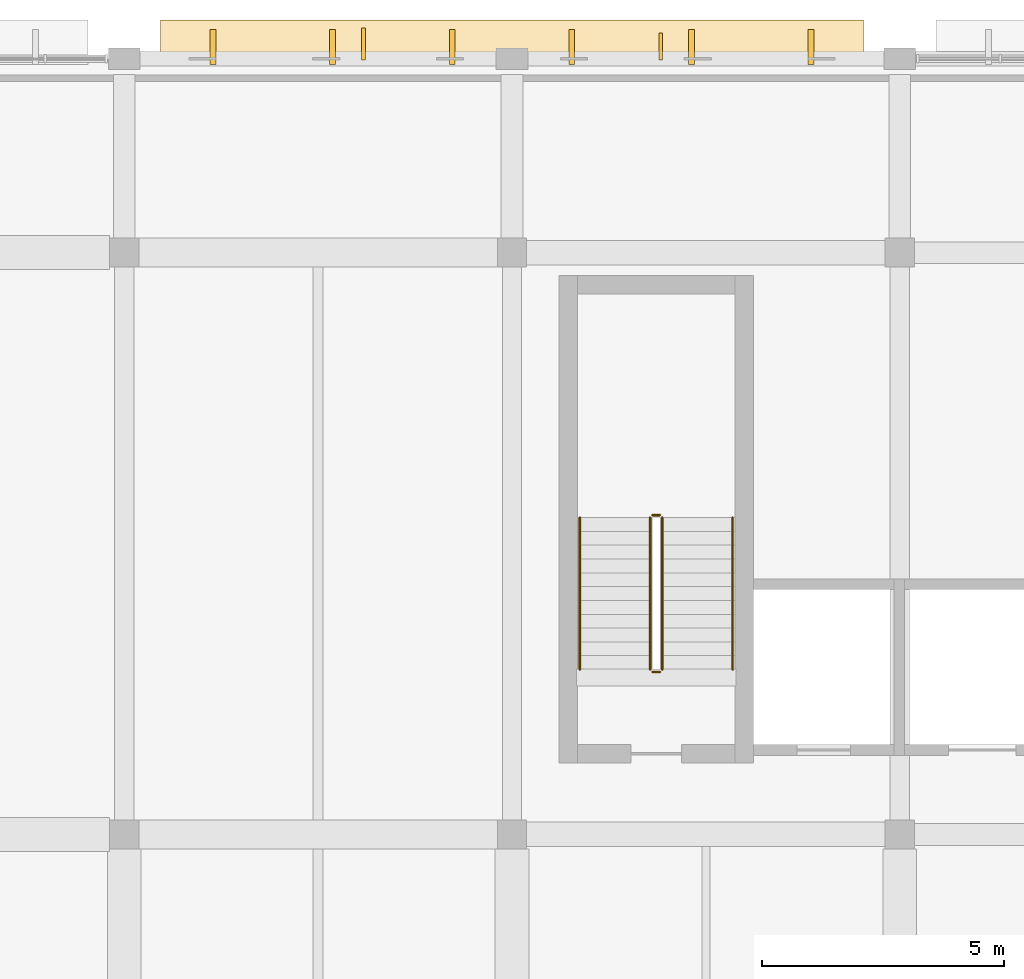
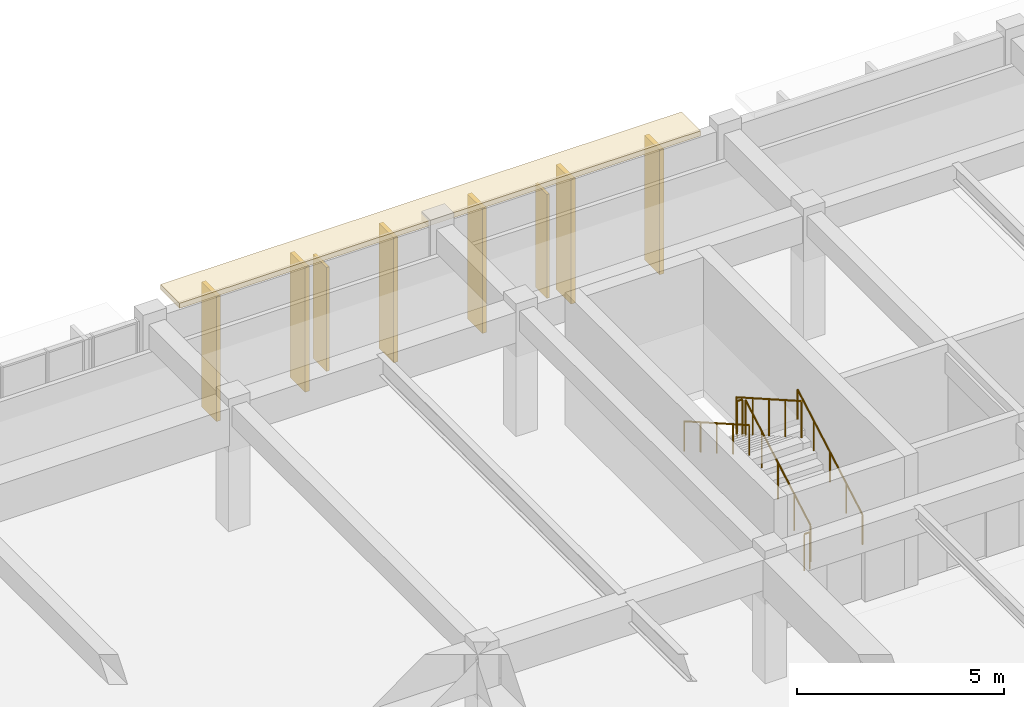
# One storey, part 89 of 98: 7 coverings, 6 railings, 2 shading devices.
"""IFC4 building model written with IfcOpenShell, lengths in metres."""

from ifc_helpers import new_model, si_unit, direction, frame, origin, origin_2d, place, context, subcontext, project, spatial, rectangle, circle, extrude, material, layer, layer_set, type_object, element, save


model = new_model("IFC4")

# Units and contexts
model_context = context("Model", 3, precision=1e-05, world=origin(), true_north=direction((0.0, 1.0)))
body_context = subcontext(model_context, "Body", "Model", "MODEL_VIEW")
ifc_project = project(units=[si_unit("LENGTHUNIT", "METRE"), si_unit("AREAUNIT", "SQUARE_METRE"), si_unit("VOLUMEUNIT", "CUBIC_METRE"), si_unit("PLANEANGLEUNIT", "RADIAN"), si_unit("MASSUNIT", "GRAM", prefix="KILO")], contexts=[model_context])

# Site, building, storey
site_placement = place(None, origin())
site = spatial("IfcSite", under=ifc_project, at=site_placement, CompositionType="ELEMENT")
building_placement = place(site_placement, origin())
building = spatial("IfcBuilding", under=site, at=building_placement, Name="Larkveld Mobility Hub", CompositionType="ELEMENT")
storey_placement = place(building_placement, frame((0.0, 0.0, 4.5)))
storey = spatial("IfcBuildingStorey", under=building, at=storey_placement, Name="L01", CompositionType="ELEMENT", Elevation=4.5)

# Coverings
ifc_material_1 = material(Name="Precast concrete C50/60", Category="concrete")
ifc_layer_1 = layer(ifc_material_1, 0.14990234375, Name="Precast concrete C50/60", Category="concrete")
ifc_layer_set_1 = layer_set([ifc_layer_1], Name="Precast concrete C50/60")
covering_type_1 = type_object("IfcCoveringType", Name="COV-QSL-H01", PredefinedType="CLADDING", material=ifc_layer_set_1)
covering_placement = place(storey_placement, frame((24.0, 126.340087890625, 3.670166015625), z_axis=(0.0, 0.0, 1.0), x_axis=(-1.0, 0.0, 0.0)))
element("IfcCovering", 1, at=covering_placement, inside=storey, type_object=covering_type_1, Name="Precast Quebra-Sol Horizontal Sunbreaker QSH-064", PredefinedType="CLADDING", context=body_context, shape_type="SweptSolid", body=[
    extrude(rectangle(XDim=14.5, YDim=0.919921875, at=origin_2d()), origin(), (0.0, 0.0, 1.0), 0.14990234375),
])
ifc_layer_2 = layer(ifc_material_1, 0.1201171875, Name="Precast concrete C50/60", Category="concrete")
ifc_layer_set_2 = layer_set([ifc_layer_2], Name="Precast concrete C50/60")
covering_type_2 = type_object("IfcCoveringType", Name="COV-QSL-V01", PredefinedType="CLADDING", material=ifc_layer_set_2)
for number, where, z_axis, x_axis, name in (
    (2, (30.1669921875, 126.239990234375, -0.0205078125), (0.0, 0.0, 1.0), (-1.0, 0.0, 0.0), "Precast Quebra-Sol Vertical Fin QSV-065"),
    (3, (27.699951171875, 126.239990234375, -0.0205078125), (0.0, 0.0, 1.0), (-1.0, 0.0, 0.0), "Precast Quebra-Sol Vertical Fin QSV-066"),
    (4, (25.23291015625, 126.239990234375, -0.0205078125), (0.0, 0.0, 1.0), (-1.0, 0.0, 0.0), "Precast Quebra-Sol Vertical Fin QSV-067"),
    (5, (22.76708984375, 126.239990234375, -0.0205078125), (0.0, 0.0, 1.0), (-1.0, 0.0, 0.0), "Precast Quebra-Sol Vertical Fin QSV-068"),
    (6, (20.300048828125, 126.239990234375, -0.0205078125), (0.0, 0.0, 1.0), (-1.0, 0.0, 0.0), "Precast Quebra-Sol Vertical Fin QSV-069"),
    (7, (17.8330078125, 126.239990234375, -0.0205078125), (0.0, 0.0, 1.0), (-1.0, 0.0, 0.0), "Precast Quebra-Sol Vertical Fin QSV-070"),
):
    element("IfcCovering", number, at=place(storey_placement, frame(where, z_axis=z_axis, x_axis=x_axis)), inside=storey, type_object=covering_type_2, Name=name, PredefinedType="CLADDING", context=body_context, shape_type="SweptSolid", body=[
        extrude(rectangle(XDim=0.1201171875, YDim=0.719970703125, at=origin_2d()), origin(), (0.0, 0.0, 1.0), 3.675048828125),
    ])

# Railings
ifc_material_2 = material(Name="Galvanized Steel S355JR balustrade", Category="steel")
railing_type_1 = type_object("IfcRailingType", Name="RL-GRD-1100", PredefinedType="GUARDRAIL", material=ifc_material_2)
railing_1_placement = place(storey_placement, frame((27.10009765625, 113.39990234375, 0.16259765625)))
element("IfcRailing", 8, at=railing_1_placement, inside=storey, type_object=railing_type_1, Name="L01 ST6 stair guard 1", PredefinedType="GUARDRAIL", context=body_context, shape_type="SweptSolid", body=[
    extrude(circle(Radius=0.02392578125, at=origin_2d()), frame((0.0, 0.0, 1.076171875), z_axis=(0.0, 0.868729823959, 0.495286273749), x_axis=(-1.0, 0.0, 0.0)), (0.0, 0.0, 1.0), 3.608642578125),
    extrude(circle(Radius=0.02099609375, at=origin_2d()), origin(), (0.0, 0.0, 1.0), 1.052001953125),
    extrude(circle(Radius=0.02099609375, at=origin_2d()), frame((0.0, 0.78369140625, 0.44677734375)), (0.0, 0.0, 1.0), 1.052001953125),
    extrude(circle(Radius=0.02099609375, at=origin_2d()), frame((0.0, 1.5673828125, 0.8935546875)), (0.0, 0.0, 1.0), 1.052001953125),
    extrude(circle(Radius=0.02099609375, at=origin_2d()), frame((0.0, 2.351318359375, 1.340576171875)), (0.0, 0.0, 1.0), 1.052001953125),
    extrude(circle(Radius=0.02099609375, at=origin_2d()), frame((0.0, 3.135009765625, 1.787353515625)), (0.0, 0.0, 1.0), 1.052001953125),
])
railing_2_placement = place(storey_placement, frame((27.050048828125, 116.5849609375, 1.949951171875)))
element("IfcRailing", 9, at=railing_2_placement, inside=storey, type_object=railing_type_1, Name="L01 ST6 stair guard 2", PredefinedType="GUARDRAIL", context=body_context, shape_type="SweptSolid", body=[
    extrude(circle(Radius=0.02392578125, at=origin_2d()), frame((0.0, 0.0, 1.076171875), z_axis=(-1.0, 0.0, 0.0), x_axis=(0.0, -1.0, 0.0)), (0.0, 0.0, 1.0), 0.150146484375),
    extrude(circle(Radius=0.02099609375, at=origin_2d()), origin(), (0.0, 0.0, 1.0), 1.052001953125),
    extrude(circle(Radius=0.02099609375, at=origin_2d()), frame((-0.150146484375, 0.0, 0.0)), (0.0, 0.0, 1.0), 1.052001953125),
])
railing_3_placement = place(storey_placement, frame((26.85009765625, 116.534912109375, 2.112548828125)))
element("IfcRailing", 10, at=railing_3_placement, inside=storey, type_object=railing_type_1, Name="L01 ST6 stair guard 3", PredefinedType="GUARDRAIL", context=body_context, shape_type="SweptSolid", body=[
    extrude(circle(Radius=0.02392578125, at=origin_2d()), frame((0.0, 0.0, 1.076171875), z_axis=(0.0, -0.868729823959, 0.495286273749), x_axis=(1.0, 0.0, 0.0)), (0.0, 0.0, 1.0), 3.608642578125),
    extrude(circle(Radius=0.02099609375, at=origin_2d()), origin(), (0.0, 0.0, 1.0), 1.052001953125),
    extrude(circle(Radius=0.02099609375, at=origin_2d()), frame((0.0, -0.78369140625, 0.44677734375)), (0.0, 0.0, 1.0), 1.052001953125),
    extrude(circle(Radius=0.02099609375, at=origin_2d()), frame((0.0, -1.5673828125, 0.8935546875)), (0.0, 0.0, 1.0), 1.052001953125),
    extrude(circle(Radius=0.02099609375, at=origin_2d()), frame((0.0, -2.351318359375, 1.340576171875)), (0.0, 0.0, 1.0), 1.052001953125),
    extrude(circle(Radius=0.02099609375, at=origin_2d()), frame((0.0, -3.135009765625, 1.787353515625)), (0.0, 0.0, 1.0), 1.052001953125),
])
railing_4_placement = place(storey_placement, frame((27.050048828125, 113.35009765625, 0.0)))
element("IfcRailing", 11, at=railing_4_placement, inside=storey, type_object=railing_type_1, Name="L01 ST6 stair guard 4", PredefinedType="GUARDRAIL", context=body_context, shape_type="SweptSolid", body=[
    extrude(circle(Radius=0.02392578125, at=origin_2d()), frame((0.0, 0.0, 1.076171875), z_axis=(-1.0, 0.0, 0.0), x_axis=(0.0, -1.0, 0.0)), (0.0, 0.0, 1.0), 0.150146484375),
    extrude(circle(Radius=0.02099609375, at=origin_2d()), origin(), (0.0, 0.0, 1.0), 1.052001953125),
    extrude(circle(Radius=0.02099609375, at=origin_2d()), frame((-0.150146484375, 0.0, 0.0)), (0.0, 0.0, 1.0), 1.052001953125),
])
ifc_material_3 = material(Name="Brushed Steel S355JR tubular handrail", Category="steel")
railing_type_2 = type_object("IfcRailingType", Name="RL-HND-0900", PredefinedType="HANDRAIL", material=ifc_material_3)
railing_5_placement = place(storey_placement, frame((28.550048828125, 113.39990234375, 0.16259765625)))
element("IfcRailing", 12, at=railing_5_placement, inside=storey, type_object=railing_type_2, Name="L01 ST6 stair handrail 1", PredefinedType="HANDRAIL", context=body_context, shape_type="SweptSolid", body=[
    extrude(circle(Radius=0.02392578125, at=origin_2d()), frame((0.0, 0.0, 0.8759765625), z_axis=(0.0, 0.868729823959, 0.495286273749), x_axis=(-1.0, 0.0, 0.0)), (0.0, 0.0, 1.0), 3.608642578125),
    extrude(circle(Radius=0.02099609375, at=origin_2d()), origin(), (0.0, 0.0, 1.0), 0.851806640625),
    extrude(circle(Radius=0.02099609375, at=origin_2d()), frame((0.0, 0.78369140625, 0.44677734375)), (0.0, 0.0, 1.0), 0.851806640625),
    extrude(circle(Radius=0.02099609375, at=origin_2d()), frame((0.0, 1.5673828125, 0.8935546875)), (0.0, 0.0, 1.0), 0.851806640625),
    extrude(circle(Radius=0.02099609375, at=origin_2d()), frame((0.0, 2.351318359375, 1.340576171875)), (0.0, 0.0, 1.0), 0.851806640625),
    extrude(circle(Radius=0.02099609375, at=origin_2d()), frame((0.0, 3.135009765625, 1.787353515625)), (0.0, 0.0, 1.0), 0.851806640625),
])
railing_6_placement = place(storey_placement, frame((25.39990234375, 116.534912109375, 2.112548828125)))
element("IfcRailing", 13, at=railing_6_placement, inside=storey, type_object=railing_type_2, Name="L01 ST6 stair handrail 2", PredefinedType="HANDRAIL", context=body_context, shape_type="SweptSolid", body=[
    extrude(circle(Radius=0.02392578125, at=origin_2d()), frame((0.0, 0.0, 0.8759765625), z_axis=(0.0, -0.868729823959, 0.495286273749), x_axis=(1.0, 0.0, 0.0)), (0.0, 0.0, 1.0), 3.608642578125),
    extrude(circle(Radius=0.02099609375, at=origin_2d()), origin(), (0.0, 0.0, 1.0), 0.851806640625),
    extrude(circle(Radius=0.02099609375, at=origin_2d()), frame((0.0, -0.78369140625, 0.44677734375)), (0.0, 0.0, 1.0), 0.851806640625),
    extrude(circle(Radius=0.02099609375, at=origin_2d()), frame((0.0, -1.5673828125, 0.8935546875)), (0.0, 0.0, 1.0), 0.851806640625),
    extrude(circle(Radius=0.02099609375, at=origin_2d()), frame((0.0, -2.351318359375, 1.340576171875)), (0.0, 0.0, 1.0), 0.851806640625),
    extrude(circle(Radius=0.02099609375, at=origin_2d()), frame((0.0, -3.135009765625, 1.787353515625)), (0.0, 0.0, 1.0), 0.851806640625),
])

# Shading devices
ifc_layer_3 = layer(ifc_material_1, 0.074951171875, Name="Precast concrete C50/60", Category="concrete")
ifc_layer_set_3 = layer_set([ifc_layer_3], Name="Precast concrete C50/60")
shading_device_type_1 = type_object("IfcShadingDeviceType", Name="SHD-JAL-02", PredefinedType="JALOUSIE", material=ifc_layer_set_3)
shading_device_1_placement = place(storey_placement, frame((27.06591796875, 126.2548828125, 0.300048828125), z_axis=(0.0, 0.0, 1.0), x_axis=(1.0, 0.0, 0.0)))
element("IfcShadingDevice", 14, at=shading_device_1_placement, inside=storey, type_object=shading_device_type_1, Name="North Facade Sunshade Fin NF-049", PredefinedType="JALOUSIE", context=body_context, shape_type="SweptSolid", body=[
    extrude(rectangle(XDim=0.074951171875, YDim=0.550048828125, at=origin_2d()), origin(), (0.0, 0.0, 1.0), 3.06005859375),
])
ifc_layer_4 = layer(ifc_material_1, 0.0849609375, Name="Precast concrete C50/60", Category="concrete")
ifc_layer_set_4 = layer_set([ifc_layer_4], Name="Precast concrete C50/60")
shading_device_type_2 = type_object("IfcShadingDeviceType", Name="SHD-JAL-03", PredefinedType="JALOUSIE", material=ifc_layer_set_4)
shading_device_2_placement = place(storey_placement, frame((20.93408203125, 126.304931640625, 0.300048828125), z_axis=(0.0, 0.0, 1.0), x_axis=(1.0, 0.0, 0.0)))
element("IfcShadingDevice", 15, at=shading_device_2_placement, inside=storey, type_object=shading_device_type_2, Name="North Facade Sunshade Fin NF-050", PredefinedType="JALOUSIE", context=body_context, shape_type="SweptSolid", body=[
    extrude(rectangle(XDim=0.0849609375, YDim=0.64990234375, at=origin_2d()), origin(), (0.0, 0.0, 1.0), 3.06005859375),
])

save(model, "model.ifc")
